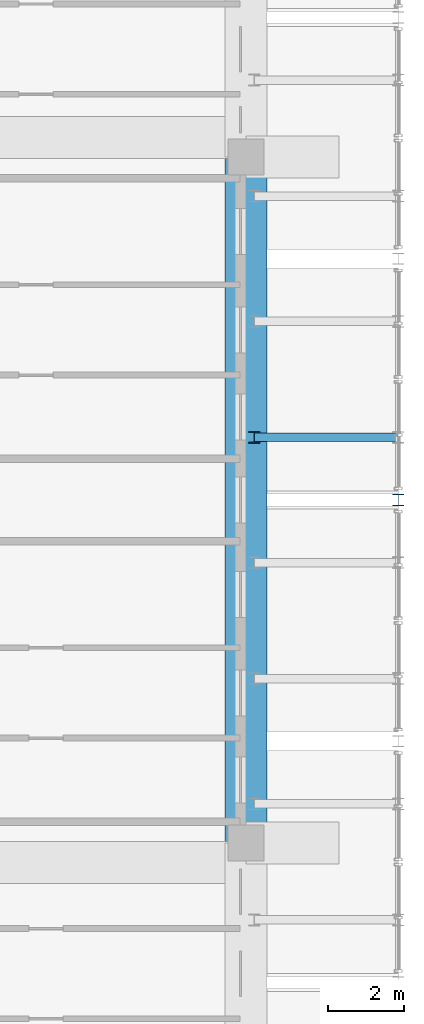
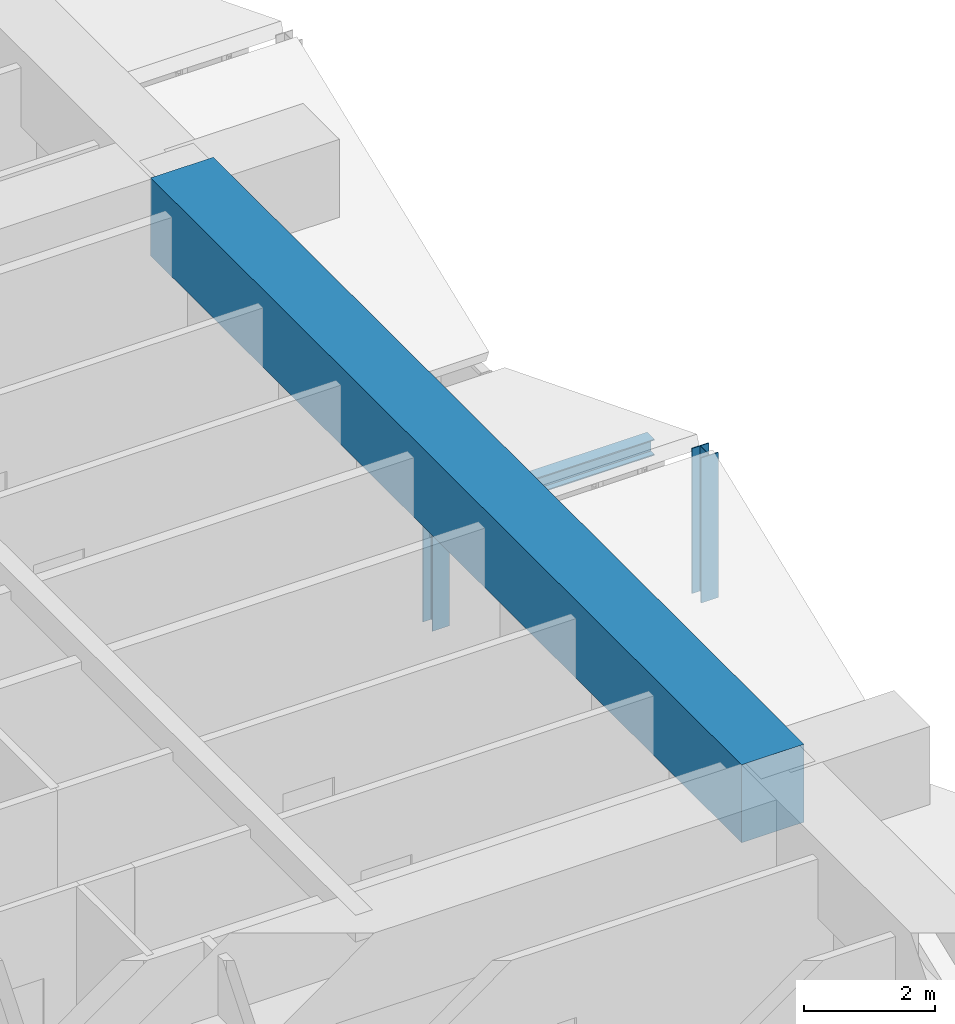
# One storey, part 17 of 45: 3 members, 1 beam.
"""IFC4 building model written with IfcOpenShell, lengths in metres."""

from ifc_helpers import new_model, si_unit, direction, frame, origin, origin_2d, place, context, subcontext, project, spatial, rectangle, i_section, extrude, source, transform, mapped, material, material_profile, profile_set, type_object, element, save


model = new_model("IFC4")

# Units and contexts
model_context = context("Model", 3, precision=1e-05, world=origin(), true_north=direction((0.0, 1.0)))
body_context = subcontext(model_context, "Body", "Model", "MODEL_VIEW")
ifc_project = project(units=[si_unit("LENGTHUNIT", "METRE"), si_unit("AREAUNIT", "SQUARE_METRE"), si_unit("VOLUMEUNIT", "CUBIC_METRE"), si_unit("PLANEANGLEUNIT", "RADIAN"), si_unit("MASSUNIT", "GRAM", prefix="KILO")], contexts=[model_context])

# Site, building, storey
site_placement = place(None, origin())
site = spatial("IfcSite", under=ifc_project, at=site_placement, CompositionType="ELEMENT")
building_placement = place(site_placement, origin())
building = spatial("IfcBuilding", under=site, at=building_placement, Name="Saelheon Loggia Tower", CompositionType="ELEMENT")
storey_placement = place(building_placement, frame((0.0, 0.0, 152.199951171875)))
storey = spatial("IfcBuildingStorey", under=building, at=storey_placement, Name="L48", CompositionType="ELEMENT", Elevation=152.199951171875)

# Members
ifc_material_1 = material(Name="Steel SM355", Category="steel")
ifc_material_profile_1 = material_profile(ifc_material_1, i_section(OverallWidth=0.300048828125, OverallDepth=0.300048828125, WebThickness=0.010009765625, FlangeThickness=0.014892578125, at=origin_2d()), Name="H-300x300x10x15")
ifc_profile_set_1 = profile_set([ifc_material_profile_1], Name="Steel SM355")
member_type_1 = type_object("IfcMemberType", Name="WaveCrest_Post_H300", PredefinedType="POST", material=ifc_profile_set_1)
shared_shape_1 = source(origin(), body_context, "Body", "SweptSolid", [
    extrude(i_section(OverallWidth=0.300048828125, OverallDepth=0.300048828125, WebThickness=0.010009765625, FlangeThickness=0.014892578125, at=origin_2d()), origin(), (0.0, 0.0, 1.0), 2.699951171875),
])
member_1_placement = place(storey_placement, frame((64.0, 27.0, 0.0), z_axis=(0.0, 0.0, 1.0), x_axis=(1.0, 0.0, 0.0)))
element("IfcMember", 1, at=member_1_placement, inside=storey, type_object=member_type_1, Name="Tier 1 Wave Crest Upper Post E 03", PredefinedType="POST", context=body_context, shape_type="MappedRepresentation", body=[
    mapped(shared_shape_1, transform((0.0, 0.0, 0.0), scale=1.0)),
])
ifc_material_profile_2 = material_profile(ifc_material_1, i_section(OverallWidth=0.219970703125, OverallDepth=0.300048828125, WebThickness=0.011962890625, FlangeThickness=0.02001953125, at=origin_2d()), Name="H-300x220x12x20")
ifc_profile_set_2 = profile_set([ifc_material_profile_2], Name="Steel SM355")
member_type_2 = type_object("IfcMemberType", Name="Roof_ShoulderPurlin_RHS300", PredefinedType="PURLIN", material=ifc_profile_set_2)
shared_shape_2 = source(origin(), body_context, "Body", "SweptSolid", [
    extrude(i_section(OverallWidth=0.219970703125, OverallDepth=0.300048828125, WebThickness=0.011962890625, FlangeThickness=0.02001953125, at=origin_2d()), origin(), (0.0, 0.0, 1.0), 3.780029296875),
])
member_2_placement = place(storey_placement, frame((64.0, 28.644775390625, 1.823486328125), z_axis=(-1.0, 0.0, 0.0), x_axis=(0.0, -1.0, 0.0)))
element("IfcMember", 2, at=member_2_placement, inside=storey, type_object=member_type_2, Name="Tier 1 Wave Crest Rafter E 04 A", PredefinedType="PURLIN", context=body_context, shape_type="MappedRepresentation", body=[
    mapped(shared_shape_2, transform((0.0, 0.0, 0.0), scale=1.0)),
])
ifc_material_profile_3 = material_profile(ifc_material_1, i_section(OverallWidth=0.300048828125, OverallDepth=0.300048828125, WebThickness=0.010009765625, FlangeThickness=0.014892578125, at=origin_2d()), Name="H-300x300x10x15")
ifc_profile_set_3 = profile_set([ifc_material_profile_3], Name="Steel SM355")
member_type_3 = type_object("IfcMemberType", Name="Belt_Post_H300", PredefinedType="POST", material=ifc_profile_set_3)
shared_shape_3 = source(origin(), body_context, "Body", "SweptSolid", [
    extrude(i_section(OverallWidth=0.300048828125, OverallDepth=0.300048828125, WebThickness=0.010009765625, FlangeThickness=0.014892578125, at=origin_2d()), origin(), (0.0, 0.0, 1.0), 1.87353515625),
])
member_3_placement = place(storey_placement, frame((60.219970703125, 28.644775390625, -0.199951171875), z_axis=(0.0, 0.0, 1.0), x_axis=(1.0, 0.0, 0.0)))
element("IfcMember", 3, at=member_3_placement, inside=storey, type_object=member_type_3, Name="Tier 1 Rafter Inner Post E 04", PredefinedType="POST", context=body_context, shape_type="MappedRepresentation", body=[
    mapped(shared_shape_3, transform((0.0, 0.0, 0.0), scale=1.0)),
])

# Beam
ifc_material_2 = material(Name="Concrete C50/60", Category="concrete")
ifc_material_profile_4 = material_profile(ifc_material_2, rectangle(XDim=1.10009765625, YDim=1.449951171875, at=origin_2d()), Name="RC-1100x1450")
ifc_profile_set_4 = profile_set([ifc_material_profile_4], Name="Concrete C50/60")
beam_type = type_object("IfcBeamType", Name="Beam_PerimTransfer_RC1100x1450", PredefinedType="BEAM", material=ifc_profile_set_4)
shared_shape_4 = source(origin(), body_context, "Body", "SweptSolid", [
    extrude(rectangle(XDim=1.10009765625, YDim=1.449951171875, at=origin_2d()), origin(), (0.0, 0.0, 1.0), 18.0),
])
beam_placement = place(storey_placement, frame((60.0, 18.0, 3.175048828125), z_axis=(0.0, 1.0, 0.0), x_axis=(-1.0, 0.0, 0.0)))
element("IfcBeam", 4, at=beam_placement, inside=storey, type_object=beam_type, Name="L48 Perimeter Frame Girder 06", PredefinedType="BEAM", context=body_context, shape_type="MappedRepresentation", body=[
    mapped(shared_shape_4, transform((0.0, 0.0, 0.0), scale=1.0)),
])

save(model, "model.ifc")
